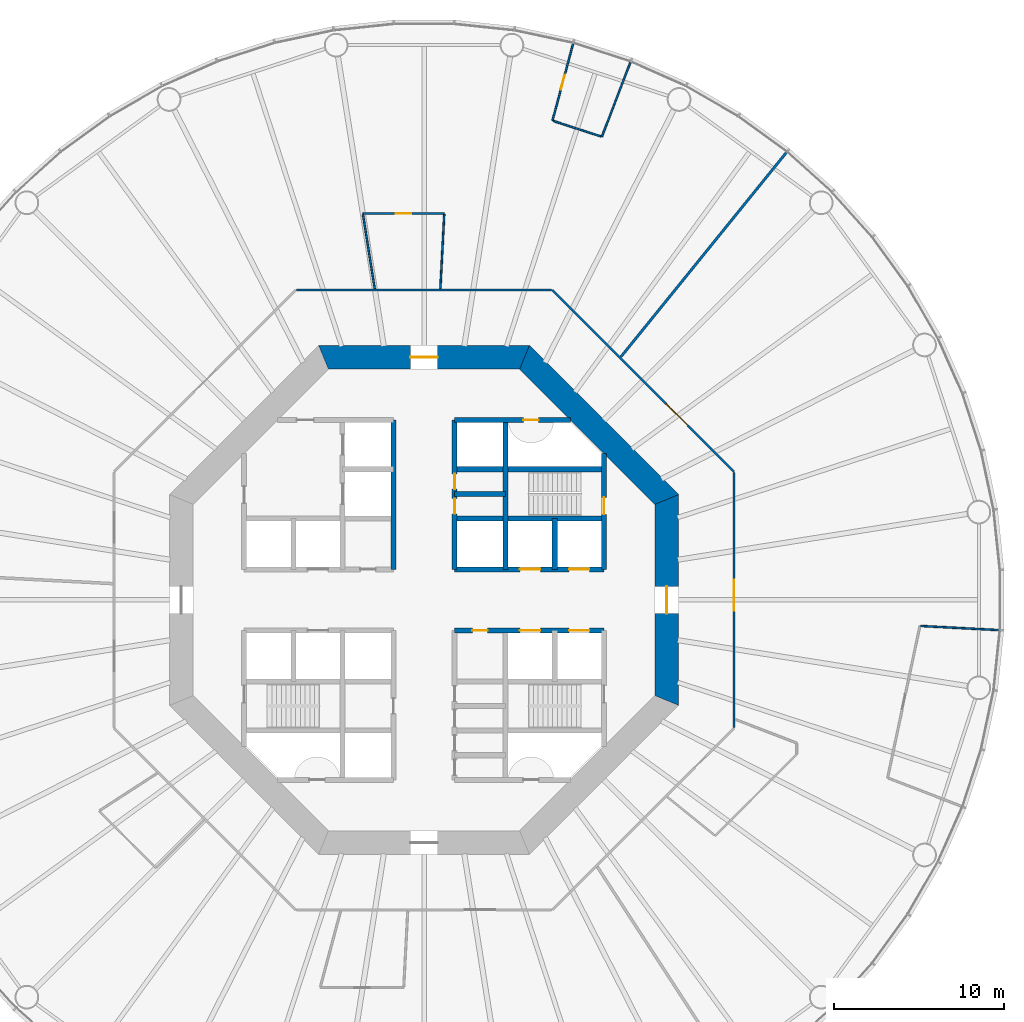
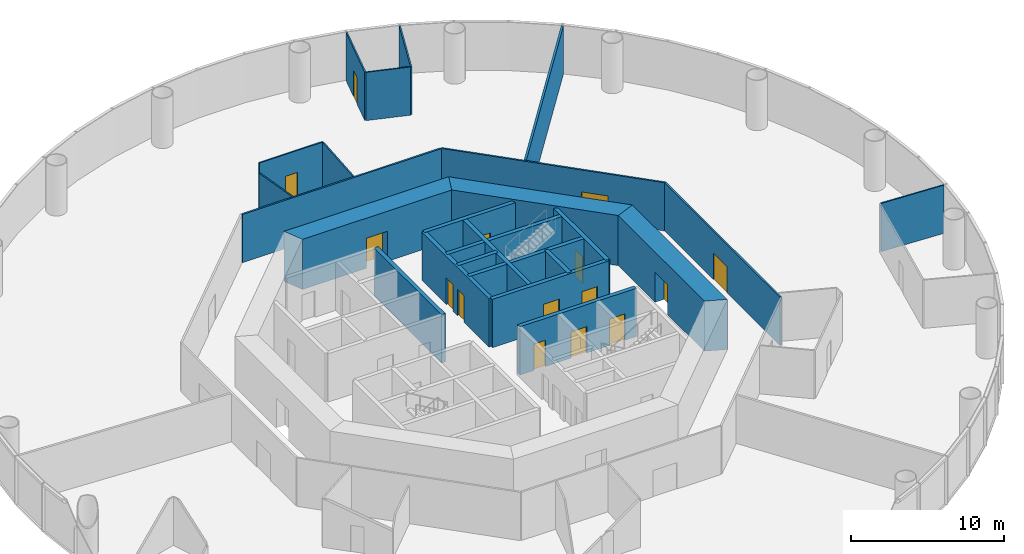
# One storey, part 5 of 13: 25 walls, 15 doors, 15 openings.
"""IFC4 building model written with IfcOpenShell, lengths in metres."""

from ifc_helpers import new_model, si_unit, direction, frame, frame_2d, origin, place, context, subcontext, project, spatial, polyline, rectangle, outline, extrude, material, layer, layer_set, type_object, element, fill, save


model = new_model("IFC4")

# Units and contexts
model_context = context("Model", 3, precision=1e-05, world=origin(), true_north=direction((0.0, 1.0)))
body_context = subcontext(model_context, "Body", "Model", "MODEL_VIEW")
ifc_project = project(units=[si_unit("LENGTHUNIT", "METRE"), si_unit("AREAUNIT", "SQUARE_METRE"), si_unit("VOLUMEUNIT", "CUBIC_METRE"), si_unit("PLANEANGLEUNIT", "RADIAN"), si_unit("MASSUNIT", "GRAM", prefix="KILO")], contexts=[model_context])

# Site, building, storey
site_placement = place(None, origin())
site = spatial("IfcSite", under=ifc_project, at=site_placement, CompositionType="ELEMENT")
building_placement = place(site_placement, origin())
building = spatial("IfcBuilding", under=site, at=building_placement, Name="Entoto Ring Tower", CompositionType="ELEMENT")
storey_placement = place(building_placement, frame((0.0, 0.0, 46.0)))
storey = spatial("IfcBuildingStorey", under=building, at=storey_placement, Name="L09", CompositionType="ELEMENT", Elevation=46.0)

# Wall, opening, door
ifc_material_1 = material(Name="Concrete C40/50", Category="concrete")
ifc_layer_1 = layer(ifc_material_1, 0.300048828125)
ifc_layer_set_1 = layer_set([ifc_layer_1], Name="Concrete C40/50")
wall_type_1 = type_object("IfcWallType", Name="Core enclosure wall 300 mm reinforced concrete", PredefinedType="SOLIDWALL", material=ifc_layer_set_1)
wall_1_placement = place(storey_placement, frame((100.60009765625, 81.800048828125, 0.0), z_axis=(0.0, 0.0, 1.0), x_axis=(0.0, 1.0, 0.0)))
wall_1 = element("IfcWall", 1, at=wall_1_placement, inside=storey, type_object=wall_type_1, Name="wall-L09-002", PredefinedType="SOLIDWALL", context=body_context, shape_type="SweptSolid", body=[
    extrude(rectangle(XDim=6.833251953125, YDim=0.300048828125, at=frame_2d((3.41650390625, 0.0))), origin(), (0.0, 0.0, 1.0), 3.85009765625),
])
opening_1_placement = place(wall_1_placement, frame((3.25, 0.0, 0.0)))
opening_1 = element("IfcOpeningElement", 2, at=opening_1_placement, cuts=wall_1, Name="Opening K-65", PredefinedType="OPENING", context=body_context, shape_type="SweptSolid", body=[
    extrude(rectangle(XDim=1.0, YDim=2.10009765625, at=frame_2d((0.5, 1.050048828125))), frame((0.0, 0.16015625, 0.0), z_axis=(0.0, -1.0, 0.0), x_axis=(1.0, 0.0, 0.0)), (0.0, 0.0, 1.0), 0.320068359375),
])
ifc_material_2 = material(Name="Steel door leaf, fire rated", Category="steel")
ifc_layer_2 = layer(ifc_material_2, 0.050048828125)
ifc_layer_set_2 = layer_set([ifc_layer_2], Name="Steel door leaf, fire rated")
door_type_1 = type_object("IfcDoorType", Name="Fire door FD60 1000 x 2100 single leaf", OperationType="NOTDEFINED", PredefinedType="DOOR", material=ifc_layer_set_2)
door_1_placement = place(opening_1_placement, origin())
door_1 = element("IfcDoor", 3, at=door_1_placement, inside=storey, type_object=door_type_1, Name="Door K-65", OperationType="SINGLE_SWING_RIGHT", OverallHeight=2.10009765625, OverallWidth=1.0, PredefinedType="DOOR", context=body_context, shape_type="SweptSolid", body=[
    extrude(rectangle(XDim=1.0, YDim=2.10009765625, at=frame_2d((0.5, 1.050048828125))), frame((0.0, 0.02490234375, 0.0), z_axis=(0.0, -1.0, 0.0), x_axis=(1.0, 0.0, 0.0)), (0.0, 0.0, 1.0), 0.050048828125),
])
fill(opening_1, door_1)

# Walls
wall_2_placement = place(storey_placement, frame((97.699951171875, 81.800048828125, 0.0), z_axis=(0.0, 0.0, 1.0), x_axis=(0.0, 1.0, 0.0)))
element("IfcWall", 4, at=wall_2_placement, inside=storey, type_object=wall_type_1, Name="wall-L09-004", PredefinedType="SOLIDWALL", context=body_context, shape_type="SweptSolid", body=[
    extrude(rectangle(XDim=3.0, YDim=0.300048828125, at=frame_2d((1.5, 0.0))), origin(), (0.0, 0.0, 1.0), 3.85009765625),
])
wall_3_placement = place(storey_placement, frame((94.800048828125, 81.800048828125, 0.0), z_axis=(0.0, 0.0, 1.0), x_axis=(0.0, 1.0, 0.0)))
element("IfcWall", 5, at=wall_3_placement, inside=storey, type_object=wall_type_1, Name="wall-L09-006", PredefinedType="SOLIDWALL", context=body_context, shape_type="SweptSolid", body=[
    extrude(rectangle(XDim=8.800048828125, YDim=0.300048828125, at=frame_2d((4.39990234375, 0.0))), origin(), (0.0, 0.0, 1.0), 3.85009765625),
])

# Wall, openings, doors
wall_4_placement = place(storey_placement, frame((91.800048828125, 81.800048828125, 0.0), z_axis=(0.0, 0.0, 1.0), x_axis=(0.0, 1.0, 0.0)))
wall_4 = element("IfcWall", 6, at=wall_4_placement, inside=storey, type_object=wall_type_1, Name="wall-L09-008", PredefinedType="SOLIDWALL", context=body_context, shape_type="SweptSolid", body=[
    extrude(rectangle(XDim=8.800048828125, YDim=0.300048828125, at=frame_2d((4.39990234375, 0.0))), origin(), (0.0, 0.0, 1.0), 3.85009765625),
])
opening_2_placement = place(wall_4_placement, frame((3.27490234375, 0.0, 0.0)))
opening_2 = element("IfcOpeningElement", 7, at=opening_2_placement, cuts=wall_4, Name="Opening K-11", PredefinedType="OPENING", context=body_context, shape_type="SweptSolid", body=[
    extrude(rectangle(XDim=0.89990234375, YDim=2.10009765625, at=frame_2d((0.449951171875, 1.050048828125))), frame((0.0, 0.16015625, 0.0), z_axis=(0.0, -1.0, 0.0), x_axis=(1.0, 0.0, 0.0)), (0.0, 0.0, 1.0), 0.320068359375),
])
opening_3_placement = place(wall_4_placement, frame((4.72509765625, 0.0, 0.0)))
opening_3 = element("IfcOpeningElement", 8, at=opening_3_placement, cuts=wall_4, Name="Opening K-12", PredefinedType="OPENING", context=body_context, shape_type="SweptSolid", body=[
    extrude(rectangle(XDim=0.89990234375, YDim=2.10009765625, at=frame_2d((0.449951171875, 1.050048828125))), frame((0.0, 0.16015625, 0.0), z_axis=(0.0, -1.0, 0.0), x_axis=(1.0, 0.0, 0.0)), (0.0, 0.0, 1.0), 0.320068359375),
])
ifc_material_3 = material(Name="Steel door leaf, fire rated", Category="steel")
ifc_layer_3 = layer(ifc_material_3, 0.050048828125)
ifc_layer_set_3 = layer_set([ifc_layer_3], Name="Steel door leaf, fire rated")
door_type_2 = type_object("IfcDoorType", Name="Core door 900 x 2100 single leaf", OperationType="NOTDEFINED", PredefinedType="DOOR", material=ifc_layer_set_3)
door_2_placement = place(opening_2_placement, origin())
door_2 = element("IfcDoor", 9, at=door_2_placement, inside=storey, type_object=door_type_2, Name="Door K-11", OperationType="SINGLE_SWING_RIGHT", OverallHeight=2.10009765625, OverallWidth=0.89990234375, PredefinedType="DOOR", context=body_context, shape_type="SweptSolid", body=[
    extrude(rectangle(XDim=0.89990234375, YDim=2.10009765625, at=frame_2d((0.449951171875, 1.050048828125))), frame((0.0, 0.02490234375, 0.0), z_axis=(0.0, -1.0, 0.0), x_axis=(1.0, 0.0, 0.0)), (0.0, 0.0, 1.0), 0.050048828125),
])
fill(opening_2, door_2)
door_3_placement = place(opening_3_placement, origin())
door_3 = element("IfcDoor", 10, at=door_3_placement, inside=storey, type_object=door_type_2, Name="Door K-12", OperationType="SINGLE_SWING_RIGHT", OverallHeight=2.10009765625, OverallWidth=0.89990234375, PredefinedType="DOOR", context=body_context, shape_type="SweptSolid", body=[
    extrude(rectangle(XDim=0.89990234375, YDim=2.10009765625, at=frame_2d((0.449951171875, 1.050048828125))), frame((0.0, 0.02490234375, 0.0), z_axis=(0.0, -1.0, 0.0), x_axis=(1.0, 0.0, 0.0)), (0.0, 0.0, 1.0), 0.050048828125),
])
fill(opening_3, door_3)

# Wall
wall_5_placement = place(storey_placement, frame((88.199951171875, 81.800048828125, 0.0), z_axis=(0.0, 0.0, 1.0), x_axis=(0.0, 1.0, 0.0)))
element("IfcWall", 11, at=wall_5_placement, inside=storey, type_object=wall_type_1, Name="wall-L09-010", PredefinedType="SOLIDWALL", context=body_context, shape_type="SweptSolid", body=[
    extrude(rectangle(XDim=8.800048828125, YDim=0.300048828125, at=frame_2d((4.39990234375, 0.0))), origin(), (0.0, 0.0, 1.0), 3.85009765625),
])

# Wall, openings, doors
wall_6_placement = place(storey_placement, frame((91.800048828125, 78.199951171875, 0.0), z_axis=(0.0, 0.0, 1.0), x_axis=(1.0, 0.0, 0.0)))
wall_6 = element("IfcWall", 12, at=wall_6_placement, inside=storey, type_object=wall_type_1, Name="wall-L09-026", PredefinedType="SOLIDWALL", context=body_context, shape_type="SweptSolid", body=[
    extrude(rectangle(XDim=8.800048828125, YDim=0.300048828125, at=frame_2d((4.39990234375, 0.0))), origin(), (0.0, 0.0, 1.0), 3.85009765625),
])
opening_4_placement = place(wall_6_placement, frame((3.85009765625, 0.0, 0.0)))
opening_4 = element("IfcOpeningElement", 13, at=opening_4_placement, cuts=wall_6, Name="Opening LD", PredefinedType="OPENING", context=body_context, shape_type="SweptSolid", body=[
    extrude(rectangle(XDim=1.199951171875, YDim=2.10009765625, at=frame_2d((0.60009765625, 1.050048828125))), frame((0.0, 0.16015625, 0.0), z_axis=(0.0, -1.0, 0.0), x_axis=(1.0, 0.0, 0.0)), (0.0, 0.0, 1.0), 0.320068359375),
])
opening_5_placement = place(wall_6_placement, frame((6.75, 0.0, 0.0)))
opening_5 = element("IfcOpeningElement", 14, at=opening_5_placement, cuts=wall_6, Name="Opening LD", PredefinedType="OPENING", context=body_context, shape_type="SweptSolid", body=[
    extrude(rectangle(XDim=1.199951171875, YDim=2.10009765625, at=frame_2d((0.60009765625, 1.050048828125))), frame((0.0, 0.16015625, 0.0), z_axis=(0.0, -1.0, 0.0), x_axis=(1.0, 0.0, 0.0)), (0.0, 0.0, 1.0), 0.320068359375),
])
opening_6_placement = place(wall_6_placement, frame((1.050048828125, 0.0, 0.0)))
opening_6 = element("IfcOpeningElement", 15, at=opening_6_placement, cuts=wall_6, Name="Opening K-19", PredefinedType="OPENING", context=body_context, shape_type="SweptSolid", body=[
    extrude(rectangle(XDim=0.89990234375, YDim=2.10009765625, at=frame_2d((0.449951171875, 1.050048828125))), frame((0.0, 0.16015625, 0.0), z_axis=(0.0, -1.0, 0.0), x_axis=(1.0, 0.0, 0.0)), (0.0, 0.0, 1.0), 0.320068359375),
])
door_4_placement = place(opening_6_placement, frame((0.89990234375, 0.0, 0.0), z_axis=(0.0, 0.0, 1.0), x_axis=(-1.0, 0.0, 0.0)))
door_4 = element("IfcDoor", 16, at=door_4_placement, inside=storey, type_object=door_type_2, Name="Door K-19", OperationType="SINGLE_SWING_RIGHT", OverallHeight=2.10009765625, OverallWidth=0.89990234375, PredefinedType="DOOR", context=body_context, shape_type="SweptSolid", body=[
    extrude(rectangle(XDim=0.89990234375, YDim=2.10009765625, at=frame_2d((0.449951171875, 1.050048828125))), frame((0.0, 0.02490234375, 0.0), z_axis=(0.0, -1.0, 0.0), x_axis=(1.0, 0.0, 0.0)), (0.0, 0.0, 1.0), 0.050048828125),
])
fill(opening_6, door_4)
ifc_material_4 = material(Name="Steel and glass door leaf", Category="steel")
ifc_layer_4 = layer(ifc_material_4, 0.050048828125)
ifc_layer_set_4 = layer_set([ifc_layer_4], Name="Steel and glass door leaf")
door_type_3 = type_object("IfcDoorType", Name="Landing door 1200 x 2100 sliding", OperationType="DOUBLE_DOOR_SLIDING", PredefinedType="DOOR", material=ifc_layer_set_4)
door_5_placement = place(opening_4_placement, origin())
door_5 = element("IfcDoor", 17, at=door_5_placement, inside=storey, type_object=door_type_3, Name="Landing door LB4-LR", OperationType="SLIDING_TO_RIGHT", OverallHeight=2.10009765625, OverallWidth=1.199951171875, PredefinedType="DOOR", context=body_context, shape_type="SweptSolid", body=[
    extrude(rectangle(XDim=1.199951171875, YDim=2.10009765625, at=frame_2d((0.60009765625, 1.050048828125))), frame((0.0, 0.02490234375, 0.0), z_axis=(0.0, -1.0, 0.0), x_axis=(1.0, 0.0, 0.0)), (0.0, 0.0, 1.0), 0.050048828125),
])
fill(opening_4, door_5)
door_6_placement = place(opening_5_placement, origin())
door_6 = element("IfcDoor", 18, at=door_6_placement, inside=storey, type_object=door_type_3, Name="Landing door LB5-LR", OperationType="SLIDING_TO_RIGHT", OverallHeight=2.10009765625, OverallWidth=1.199951171875, PredefinedType="DOOR", context=body_context, shape_type="SweptSolid", body=[
    extrude(rectangle(XDim=1.199951171875, YDim=2.10009765625, at=frame_2d((0.60009765625, 1.050048828125))), frame((0.0, 0.02490234375, 0.0), z_axis=(0.0, -1.0, 0.0), x_axis=(1.0, 0.0, 0.0)), (0.0, 0.0, 1.0), 0.050048828125),
])
fill(opening_5, door_6)

wall_7_placement = place(storey_placement, frame((91.800048828125, 81.800048828125, 0.0), z_axis=(0.0, 0.0, 1.0), x_axis=(1.0, 0.0, 0.0)))
wall_7 = element("IfcWall", 19, at=wall_7_placement, inside=storey, type_object=wall_type_1, Name="wall-L09-028", PredefinedType="SOLIDWALL", context=body_context, shape_type="SweptSolid", body=[
    extrude(rectangle(XDim=8.800048828125, YDim=0.300048828125, at=frame_2d((4.39990234375, 0.0))), origin(), (0.0, 0.0, 1.0), 3.85009765625),
])
opening_7_placement = place(wall_7_placement, frame((3.85009765625, 0.0, 0.0)))
opening_7 = element("IfcOpeningElement", 20, at=opening_7_placement, cuts=wall_7, Name="Opening LD", PredefinedType="OPENING", context=body_context, shape_type="SweptSolid", body=[
    extrude(rectangle(XDim=1.199951171875, YDim=2.10009765625, at=frame_2d((0.60009765625, 1.050048828125))), frame((0.0, 0.16015625, 0.0), z_axis=(0.0, -1.0, 0.0), x_axis=(1.0, 0.0, 0.0)), (0.0, 0.0, 1.0), 0.320068359375),
])
opening_8_placement = place(wall_7_placement, frame((6.75, 0.0, 0.0)))
opening_8 = element("IfcOpeningElement", 21, at=opening_8_placement, cuts=wall_7, Name="Opening LD", PredefinedType="OPENING", context=body_context, shape_type="SweptSolid", body=[
    extrude(rectangle(XDim=1.199951171875, YDim=2.10009765625, at=frame_2d((0.60009765625, 1.050048828125))), frame((0.0, 0.16015625, 0.0), z_axis=(0.0, -1.0, 0.0), x_axis=(1.0, 0.0, 0.0)), (0.0, 0.0, 1.0), 0.320068359375),
])
door_7_placement = place(opening_7_placement, origin())
door_7 = element("IfcDoor", 22, at=door_7_placement, inside=storey, type_object=door_type_3, Name="Landing door LB1-LR", OperationType="SLIDING_TO_RIGHT", OverallHeight=2.10009765625, OverallWidth=1.199951171875, PredefinedType="DOOR", context=body_context, shape_type="SweptSolid", body=[
    extrude(rectangle(XDim=1.199951171875, YDim=2.10009765625, at=frame_2d((0.60009765625, 1.050048828125))), frame((0.0, 0.02490234375, 0.0), z_axis=(0.0, -1.0, 0.0), x_axis=(1.0, 0.0, 0.0)), (0.0, 0.0, 1.0), 0.050048828125),
])
fill(opening_7, door_7)
door_8_placement = place(opening_8_placement, origin())
door_8 = element("IfcDoor", 23, at=door_8_placement, inside=storey, type_object=door_type_3, Name="Landing door LB2-LR", OperationType="SLIDING_TO_RIGHT", OverallHeight=2.10009765625, OverallWidth=1.199951171875, PredefinedType="DOOR", context=body_context, shape_type="SweptSolid", body=[
    extrude(rectangle(XDim=1.199951171875, YDim=2.10009765625, at=frame_2d((0.60009765625, 1.050048828125))), frame((0.0, 0.02490234375, 0.0), z_axis=(0.0, -1.0, 0.0), x_axis=(1.0, 0.0, 0.0)), (0.0, 0.0, 1.0), 0.050048828125),
])
fill(opening_8, door_8)

# Walls
wall_8_placement = place(storey_placement, frame((91.800048828125, 84.800048828125, 0.0), z_axis=(0.0, 0.0, 1.0), x_axis=(1.0, 0.0, 0.0)))
element("IfcWall", 24, at=wall_8_placement, inside=storey, type_object=wall_type_1, Name="wall-L09-030", PredefinedType="SOLIDWALL", context=body_context, shape_type="SweptSolid", body=[
    extrude(rectangle(XDim=8.800048828125, YDim=0.300048828125, at=frame_2d((4.39990234375, 0.0))), origin(), (0.0, 0.0, 1.0), 3.85009765625),
])
wall_9_placement = place(storey_placement, frame((91.800048828125, 86.25, 0.0), z_axis=(0.0, 0.0, 1.0), x_axis=(1.0, 0.0, 0.0)))
element("IfcWall", 25, at=wall_9_placement, inside=storey, type_object=wall_type_1, Name="wall-L09-031", PredefinedType="SOLIDWALL", context=body_context, shape_type="SweptSolid", body=[
    extrude(rectangle(XDim=3.0, YDim=0.300048828125, at=frame_2d((1.5, 0.0))), origin(), (0.0, 0.0, 1.0), 3.85009765625),
])
wall_10_placement = place(storey_placement, frame((91.800048828125, 87.699951171875, 0.0), z_axis=(0.0, 0.0, 1.0), x_axis=(1.0, 0.0, 0.0)))
element("IfcWall", 26, at=wall_10_placement, inside=storey, type_object=wall_type_1, Name="wall-L09-033", PredefinedType="SOLIDWALL", context=body_context, shape_type="SweptSolid", body=[
    extrude(rectangle(XDim=8.800048828125, YDim=0.300048828125, at=frame_2d((4.39990234375, 0.0))), origin(), (0.0, 0.0, 1.0), 3.85009765625),
])

# Wall, opening, door
wall_11_placement = place(storey_placement, frame((91.800048828125, 90.60009765625, 0.0), z_axis=(0.0, 0.0, 1.0), x_axis=(1.0, 0.0, 0.0)))
wall_11 = element("IfcWall", 27, at=wall_11_placement, inside=storey, type_object=wall_type_1, Name="wall-L09-035", PredefinedType="SOLIDWALL", context=body_context, shape_type="SweptSolid", body=[
    extrude(rectangle(XDim=6.833251953125, YDim=0.300048828125, at=frame_2d((3.41650390625, 0.0))), origin(), (0.0, 0.0, 1.0), 3.85009765625),
])
opening_9_placement = place(wall_11_placement, frame((4.050048828125, 0.0, 0.0)))
opening_9 = element("IfcOpeningElement", 28, at=opening_9_placement, cuts=wall_11, Name="Opening K-72", PredefinedType="OPENING", context=body_context, shape_type="SweptSolid", body=[
    extrude(rectangle(XDim=0.89990234375, YDim=2.10009765625, at=frame_2d((0.449951171875, 1.050048828125))), frame((0.0, 0.16015625, 0.0), z_axis=(0.0, -1.0, 0.0), x_axis=(1.0, 0.0, 0.0)), (0.0, 0.0, 1.0), 0.320068359375),
])
ifc_material_5 = material(Name="Steel door leaf, fire rated", Category="steel")
ifc_layer_5 = layer(ifc_material_5, 0.050048828125)
ifc_layer_set_5 = layer_set([ifc_layer_5], Name="Steel door leaf, fire rated")
door_type_4 = type_object("IfcDoorType", Name="Riser door FD60 900 x 2100 single leaf", OperationType="NOTDEFINED", PredefinedType="DOOR", material=ifc_layer_set_5)
door_9_placement = place(opening_9_placement, frame((0.89990234375, 0.0, 0.0), z_axis=(0.0, 0.0, 1.0), x_axis=(-1.0, 0.0, 0.0)))
door_9 = element("IfcDoor", 29, at=door_9_placement, inside=storey, type_object=door_type_4, Name="Door K-72", OperationType="SINGLE_SWING_LEFT", OverallHeight=2.10009765625, OverallWidth=0.89990234375, PredefinedType="DOOR", context=body_context, shape_type="SweptSolid", body=[
    extrude(rectangle(XDim=0.89990234375, YDim=2.10009765625, at=frame_2d((0.449951171875, 1.050048828125))), frame((0.0, 0.02490234375, 0.0), z_axis=(0.0, -1.0, 0.0), x_axis=(1.0, 0.0, 0.0)), (0.0, 0.0, 1.0), 0.050048828125),
])
fill(opening_9, door_9)

ifc_material_6 = material(Name="Concrete C60/75", Category="concrete")
ifc_layer_6 = layer(ifc_material_6, 1.39990234375)
ifc_layer_set_6 = layer_set([ifc_layer_6], Name="Concrete C60/75")
wall_type_2 = type_object("IfcWallType", Name="Core shear wall 1400 mm reinforced concrete C60/75", PredefinedType="SHEAR", material=ifc_layer_set_6)
wall_12_placement = place(storey_placement, frame((104.300048828125, 74.07666015625, 0.0), z_axis=(0.0, 0.0, 1.0), x_axis=(0.0, 1.0, 0.0)))
wall_12 = element("IfcWall", 30, at=wall_12_placement, inside=storey, type_object=wall_type_2, Name="wall-L09-core-0", PredefinedType="SHEAR", context=body_context, shape_type="SweptSolid", body=[
    extrude(outline(polyline([(-0.2900390625, -0.699951171875), (12.13671875, -0.699951171875), (11.556640625, 0.699951171875), (0.2900390625, 0.699951171875), (-0.2900390625, -0.699951171875)])), origin(), (0.0, 0.0, 1.0), 4.0),
])
opening_10_placement = place(wall_12_placement, frame((5.123291015625, 0.0, 0.0)))
opening_10 = element("IfcOpeningElement", 31, at=opening_10_placement, cuts=wall_12, Name="Opening K-01", PredefinedType="OPENING", context=body_context, shape_type="SweptSolid", body=[
    extrude(rectangle(XDim=1.60009765625, YDim=2.39990234375, at=frame_2d((0.800048828125, 1.199951171875))), frame((0.0, 0.7099609375, 0.0), z_axis=(0.0, -1.0, 0.0), x_axis=(1.0, 0.0, 0.0)), (0.0, 0.0, 1.0), 1.419921875),
])
ifc_material_7 = material(Name="Steel door leaf, fire rated", Category="steel")
ifc_layer_7 = layer(ifc_material_7, 0.050048828125)
ifc_layer_set_7 = layer_set([ifc_layer_7], Name="Steel door leaf, fire rated")
door_type_5 = type_object("IfcDoorType", Name="Entrance door FD60 1600 x 2400 double leaf", OperationType="DOUBLE_DOOR_SINGLE_SWING", PredefinedType="DOOR", material=ifc_layer_set_7)
door_10_placement = place(opening_10_placement, origin())
door_10 = element("IfcDoor", 32, at=door_10_placement, inside=storey, type_object=door_type_5, Name="Entrance door K-01", OperationType="DOUBLE_DOOR_SINGLE_SWING", OverallHeight=2.39990234375, OverallWidth=1.60009765625, PredefinedType="DOOR", context=body_context, shape_type="SweptSolid", body=[
    extrude(rectangle(XDim=1.60009765625, YDim=2.39990234375, at=frame_2d((0.800048828125, 1.199951171875))), frame((0.0, 0.02490234375, 0.0), z_axis=(0.0, -1.0, 0.0), x_axis=(1.0, 0.0, 0.0)), (0.0, 0.0, 1.0), 0.050048828125),
])
fill(opening_10, door_10)

# Wall
wall_13_placement = place(storey_placement, frame((104.300048828125, 85.92333984375, 0.0), z_axis=(0.0, 0.0, 1.0), x_axis=(-0.707106781187, 0.707106781187, 0.0)))
element("IfcWall", 33, at=wall_13_placement, inside=storey, type_object=wall_type_2, Name="wall-L09-core-1", PredefinedType="SHEAR", context=body_context, shape_type="SweptSolid", body=[
    extrude(outline(polyline([(-0.2900390625, -0.699951171875), (12.136474609375, -0.699951171875), (11.556396484375, 0.699951171875), (0.2900390625, 0.699951171875), (-0.2900390625, -0.699951171875)])), origin(), (0.0, 0.0, 1.0), 4.0),
])

# Wall, opening, door
wall_14_placement = place(storey_placement, frame((95.92333984375, 94.300048828125, 0.0), z_axis=(0.0, 0.0, 1.0), x_axis=(-1.0, 0.0, 0.0)))
wall_14 = element("IfcWall", 34, at=wall_14_placement, inside=storey, type_object=wall_type_2, Name="wall-L09-core-2", PredefinedType="SHEAR", context=body_context, shape_type="SweptSolid", body=[
    extrude(outline(polyline([(-0.2900390625, -0.699951171875), (12.13671875, -0.699951171875), (11.556640625, 0.699951171875), (0.2900390625, 0.699951171875), (-0.2900390625, -0.699951171875)])), origin(), (0.0, 0.0, 1.0), 4.0),
])
opening_11_placement = place(wall_14_placement, frame((5.123291015625, 0.0, 0.0)))
opening_11 = element("IfcOpeningElement", 35, at=opening_11_placement, cuts=wall_14, Name="Opening K-02", PredefinedType="OPENING", context=body_context, shape_type="SweptSolid", body=[
    extrude(rectangle(XDim=1.60009765625, YDim=2.39990234375, at=frame_2d((0.800048828125, 1.199951171875))), frame((0.0, 0.7099609375, 0.0), z_axis=(0.0, -1.0, 0.0), x_axis=(1.0, 0.0, 0.0)), (0.0, 0.0, 1.0), 1.419921875),
])
door_11_placement = place(opening_11_placement, origin())
door_11 = element("IfcDoor", 36, at=door_11_placement, inside=storey, type_object=door_type_5, Name="Entrance door K-02", OperationType="DOUBLE_DOOR_SINGLE_SWING", OverallHeight=2.39990234375, OverallWidth=1.60009765625, PredefinedType="DOOR", context=body_context, shape_type="SweptSolid", body=[
    extrude(rectangle(XDim=1.60009765625, YDim=2.39990234375, at=frame_2d((0.800048828125, 1.199951171875))), frame((0.0, 0.02490234375, 0.0), z_axis=(0.0, -1.0, 0.0), x_axis=(1.0, 0.0, 0.0)), (0.0, 0.0, 1.0), 0.050048828125),
])
fill(opening_11, door_11)

ifc_material_8 = material(Name="Fire-resisting plasterboard on steel studs", Category="steel")
ifc_layer_8 = layer(ifc_material_8, 0.125)
ifc_layer_set_8 = layer_set([ifc_layer_8], Name="Fire-resisting plasterboard on steel studs")
wall_type_3 = type_object("IfcWallType", Name="Corridor wall 125 mm one-hour plasterboard on steel studs", PredefinedType="PARTITIONING", material=ifc_layer_set_8)
wall_15_placement = place(storey_placement, frame((108.262451171875, 87.564697265625, 0.0), z_axis=(0.0, 0.0, 1.0), x_axis=(-0.707106781187, 0.707106781187, 0.0)))
wall_15 = element("IfcWall", 37, at=wall_15_placement, inside=storey, type_object=wall_type_3, Name="partition-L09-004", PredefinedType="PARTITIONING", context=body_context, shape_type="SweptSolid", body=[
    extrude(rectangle(XDim=15.12890625, YDim=0.125, at=frame_2d((7.564453125, 0.0))), origin(), (0.0, 0.0, 1.0), 3.85009765625),
])
opening_12_placement = place(wall_15_placement, frame((3.842041015625, 0.0, 0.0)))
opening_12 = element("IfcOpeningElement", 38, at=opening_12_placement, cuts=wall_15, Name="Opening A04-D07", PredefinedType="OPENING", context=body_context, shape_type="SweptSolid", body=[
    extrude(rectangle(XDim=1.800048828125, YDim=2.10009765625, at=frame_2d((0.89990234375, 1.050048828125))), frame((0.0, 0.072509765625, 0.0), z_axis=(0.0, -1.0, 0.0), x_axis=(1.0, 0.0, 0.0)), (0.0, 0.0, 1.0), 0.14501953125),
])
ifc_material_9 = material(Name="Fire-resisting timber door set", Category="wood")
door_type_6 = type_object("IfcDoorType", Name="Door 1800 x 2100 double leaf FD30S fire door", OperationType="DOUBLE_DOOR_SINGLE_SWING", PredefinedType="DOOR", material=ifc_material_9)
door_12_placement = place(opening_12_placement, origin())
door_12 = element("IfcDoor", 39, at=door_12_placement, inside=storey, type_object=door_type_6, Name="Door A04-D07", OperationType="DOUBLE_DOOR_SINGLE_SWING", OverallHeight=2.10009765625, OverallWidth=1.800048828125, PredefinedType="DOOR", context=body_context, shape_type="SweptSolid", body=[
    extrude(rectangle(XDim=1.800048828125, YDim=2.10009765625, at=frame_2d((0.89990234375, 1.050048828125))), frame((0.0, 0.02490234375, 0.0), z_axis=(0.0, -1.0, 0.0), x_axis=(1.0, 0.0, 0.0)), (0.0, 0.0, 1.0), 0.050048828125),
])
fill(opening_12, door_12)

# Wall
wall_16_placement = place(storey_placement, frame((82.4794921875, 98.262451171875, 0.0), z_axis=(0.0, 0.0, 1.0), x_axis=(1.0, 0.0, 0.0)))
element("IfcWall", 40, at=wall_16_placement, inside=storey, type_object=wall_type_3, Name="partition-L09-007", PredefinedType="PARTITIONING", context=body_context, shape_type="SweptSolid", body=[
    extrude(rectangle(XDim=15.041015625, YDim=0.125, at=frame_2d((7.5205078125, 0.0))), origin(), (0.0, 0.0, 1.0), 3.85009765625),
])

# Wall, opening, door
wall_17_placement = place(storey_placement, frame((108.262451171875, 72.4794921875, 0.0), z_axis=(0.0, 0.0, 1.0), x_axis=(0.0, 1.0, 0.0)))
wall_17 = element("IfcWall", 41, at=wall_17_placement, inside=storey, type_object=wall_type_3, Name="partition-L09-008", PredefinedType="PARTITIONING", context=body_context, shape_type="SweptSolid", body=[
    extrude(rectangle(XDim=15.041015625, YDim=0.125, at=frame_2d((7.5205078125, 0.0))), origin(), (0.0, 0.0, 1.0), 3.85009765625),
])
opening_13_placement = place(wall_17_placement, frame((6.897705078125, 0.0, 0.0)))
opening_13 = element("IfcOpeningElement", 42, at=opening_13_placement, cuts=wall_17, Name="Opening A04-D06", PredefinedType="OPENING", context=body_context, shape_type="SweptSolid", body=[
    extrude(rectangle(XDim=1.800048828125, YDim=2.10009765625, at=frame_2d((0.89990234375, 1.050048828125))), frame((0.0, 0.072509765625, 0.0), z_axis=(0.0, -1.0, 0.0), x_axis=(1.0, 0.0, 0.0)), (0.0, 0.0, 1.0), 0.14501953125),
])
door_13_placement = place(opening_13_placement, origin())
door_13 = element("IfcDoor", 43, at=door_13_placement, inside=storey, type_object=door_type_6, Name="Door A04-D06", OperationType="DOUBLE_DOOR_SINGLE_SWING", OverallHeight=2.10009765625, OverallWidth=1.800048828125, PredefinedType="DOOR", context=body_context, shape_type="SweptSolid", body=[
    extrude(rectangle(XDim=1.800048828125, YDim=2.10009765625, at=frame_2d((0.89990234375, 1.050048828125))), frame((0.0, 0.02490234375, 0.0), z_axis=(0.0, -1.0, 0.0), x_axis=(1.0, 0.0, 0.0)), (0.0, 0.0, 1.0), 0.050048828125),
])
fill(opening_13, door_13)

ifc_material_10 = material(Name="Plasterboard on steel studs", Category="steel")
ifc_layer_9 = layer(ifc_material_10, 0.10009765625)
ifc_layer_set_9 = layer_set([ifc_layer_9], Name="Plasterboard on steel studs")
wall_type_4 = type_object("IfcWallType", Name="Partition 100 mm plasterboard on steel studs", PredefinedType="PARTITIONING", material=ifc_layer_set_9)
wall_18_placement = place(storey_placement, frame((86.393310546875, 102.7724609375, 0.0), z_axis=(0.0, 0.0, 1.0), x_axis=(1.0, 0.0, 0.0)))
wall_18 = element("IfcWall", 44, at=wall_18_placement, inside=storey, type_object=wall_type_4, Name="partition-L09-017", PredefinedType="PARTITIONING", context=body_context, shape_type="SweptSolid", body=[
    extrude(rectangle(XDim=4.80029296875, YDim=0.10009765625, at=frame_2d((2.400146484375, 0.0))), origin(), (0.0, 0.0, 1.0), 3.85009765625),
])
opening_14_placement = place(wall_18_placement, frame((1.9501953125, 0.0, 0.0)))
opening_14 = element("IfcOpeningElement", 45, at=opening_14_placement, cuts=wall_18, Name="Opening A04-D13", PredefinedType="OPENING", context=body_context, shape_type="SweptSolid", body=[
    extrude(rectangle(XDim=0.89990234375, YDim=2.10009765625, at=frame_2d((0.449951171875, 1.050048828125))), frame((0.0, 0.06005859375, 0.0), z_axis=(0.0, -1.0, 0.0), x_axis=(1.0, 0.0, 0.0)), (0.0, 0.0, 1.0), 0.1201171875),
])
ifc_material_11 = material(Name="Veneered timber door leaf in timber frame", Category="wood")
door_type_7 = type_object("IfcDoorType", Name="Door 900 x 2100 single leaf timber veneer", OperationType="NOTDEFINED", PredefinedType="DOOR", material=ifc_material_11)
door_14_placement = place(opening_14_placement, frame((0.89990234375, 0.0, 0.0), z_axis=(0.0, 0.0, 1.0), x_axis=(-1.0, 0.0, 0.0)))
door_14 = element("IfcDoor", 46, at=door_14_placement, inside=storey, type_object=door_type_7, Name="Door A04-D13", OperationType="SINGLE_SWING_RIGHT", OverallHeight=2.10009765625, OverallWidth=0.89990234375, PredefinedType="DOOR", context=body_context, shape_type="SweptSolid", body=[
    extrude(rectangle(XDim=0.89990234375, YDim=2.10009765625, at=frame_2d((0.449951171875, 1.050048828125))), frame((0.0, 0.02490234375, 0.0), z_axis=(0.0, -1.0, 0.0), x_axis=(1.0, 0.0, 0.0)), (0.0, 0.0, 1.0), 0.050048828125),
])
fill(opening_14, door_14)

wall_19_placement = place(storey_placement, frame((97.56787109375, 108.24365234375, 0.0), z_axis=(0.0, 0.0, 1.0), x_axis=(0.258794073665, 0.96593251702, 0.0)))
wall_19 = element("IfcWall", 47, at=wall_19_placement, inside=storey, type_object=wall_type_4, Name="partition-L09-020", PredefinedType="PARTITIONING", context=body_context, shape_type="SweptSolid", body=[
    extrude(rectangle(XDim=4.699951171875, YDim=0.10009765625, at=frame_2d((2.35009765625, 0.0))), origin(), (0.0, 0.0, 1.0), 3.85009765625),
])
opening_15_placement = place(wall_19_placement, frame((1.89990234375, 0.0, 0.0)))
opening_15 = element("IfcOpeningElement", 48, at=opening_15_placement, cuts=wall_19, Name="Opening A04-D14", PredefinedType="OPENING", context=body_context, shape_type="SweptSolid", body=[
    extrude(rectangle(XDim=0.89990234375, YDim=2.10009765625, at=frame_2d((0.449951171875, 1.050048828125))), frame((0.0, 0.06005859375, 0.0), z_axis=(0.0, -1.0, 0.0), x_axis=(1.0, 0.0, 0.0)), (0.0, 0.0, 1.0), 0.1201171875),
])
door_15_placement = place(opening_15_placement, frame((0.89990234375, 0.0, 0.0), z_axis=(0.0, 0.0, 1.0), x_axis=(-1.0, 0.0, 0.0)))
door_15 = element("IfcDoor", 49, at=door_15_placement, inside=storey, type_object=door_type_7, Name="Door A04-D14", OperationType="SINGLE_SWING_LEFT", OverallHeight=2.10009765625, OverallWidth=0.89990234375, PredefinedType="DOOR", context=body_context, shape_type="SweptSolid", body=[
    extrude(rectangle(XDim=0.89990234375, YDim=2.10009765625, at=frame_2d((0.449951171875, 1.050048828125))), frame((0.0, 0.02490234375, 0.0), z_axis=(0.0, -1.0, 0.0), x_axis=(1.0, 0.0, 0.0)), (0.0, 0.0, 1.0), 0.050048828125),
])
fill(opening_15, door_15)

# Walls
wall_20_placement = place(storey_placement, frame((100.478759765625, 107.2978515625, 0.0), z_axis=(0.0, 0.0, 1.0), x_axis=(0.358359424609, 0.933583698869, 0.0)))
element("IfcWall", 50, at=wall_20_placement, inside=storey, type_object=wall_type_4, Name="partition-L09-021", PredefinedType="PARTITIONING", context=body_context, shape_type="SweptSolid", body=[
    extrude(rectangle(XDim=4.7001953125, YDim=0.10009765625, at=frame_2d((2.35009765625, 0.0))), origin(), (0.0, 0.0, 1.0), 3.85009765625),
])
wall_21_placement = place(storey_placement, frame((123.8935546875, 78.2236328125, 0.0), z_axis=(0.0, 0.0, 1.0), x_axis=(-0.998628730491, 0.052351300252, 0.0)))
element("IfcWall", 51, at=wall_21_placement, inside=storey, type_object=wall_type_4, Name="partition-L09-023", PredefinedType="PARTITIONING", context=body_context, shape_type="SweptSolid", body=[
    extrude(rectangle(XDim=4.630859375, YDim=0.10009765625, at=frame_2d((2.3154296875, 0.0))), origin(), (0.0, 0.0, 1.0), 3.85009765625),
])
wall_22_placement = place(storey_placement, frame((90.96044921875, 98.32763671875, 0.0), z_axis=(0.0, 0.0, 1.0), x_axis=(0.05234324335, 0.998629152827, 0.0)))
element("IfcWall", 52, at=wall_22_placement, inside=storey, type_object=wall_type_4, Name="partition-L09-026", PredefinedType="PARTITIONING", context=body_context, shape_type="SweptSolid", body=[
    extrude(rectangle(XDim=4.3984375, YDim=0.10009765625, at=frame_2d((2.19921875, 0.0))), origin(), (0.0, 0.0, 1.0), 3.85009765625),
])
wall_23_placement = place(storey_placement, frame((100.43115234375, 107.313232421875, 0.0), z_axis=(0.0, 0.0, 1.0), x_axis=(-0.951039522572, 0.309069290783, 0.0)))
element("IfcWall", 53, at=wall_23_placement, inside=storey, type_object=wall_type_4, Name="partition-L09-031", PredefinedType="PARTITIONING", context=body_context, shape_type="SweptSolid", body=[
    extrude(rectangle(XDim=2.960693359375, YDim=0.10009765625, at=frame_2d((1.48046875, 0.0))), origin(), (0.0, 0.0, 1.0), 3.85009765625),
])
ifc_material_12 = material(Name="Plasterboard on steel studs", Category="steel")
ifc_layer_10 = layer(ifc_material_12, 0.10009765625)
ifc_layer_set_10 = layer_set([ifc_layer_10], Name="Plasterboard on steel studs")
wall_type_5 = type_object("IfcWallType", Name="Partition 100 mm plasterboard on steel studs, 3050 mm high", PredefinedType="PARTITIONING", material=ifc_layer_set_10)
wall_24_placement = place(storey_placement, frame((87.096435546875, 98.332763671875, 0.0), z_axis=(0.0, 0.0, 1.0), x_axis=(-0.156442929455, 0.987686999926, 0.0)))
element("IfcWall", 54, at=wall_24_placement, inside=storey, type_object=wall_type_5, Name="partition-L09-025", PredefinedType="PARTITIONING", context=body_context, shape_type="SweptSolid", body=[
    extrude(rectangle(XDim=4.436767578125, YDim=0.10009765625, at=frame_2d((2.21826171875, 0.0))), origin(), (0.0, 0.0, 1.0), 3.050048828125),
])
ifc_material_13 = material(Name="Fire-resisting acoustic plasterboard on steel studs", Category="steel")
ifc_layer_11 = layer(ifc_material_13, 0.14990234375)
ifc_layer_set_11 = layer_set([ifc_layer_11], Name="Fire-resisting acoustic plasterboard on steel studs")
wall_type_6 = type_object("IfcWallType", Name="Party wall 150 mm one-hour acoustic plasterboard on steel studs", PredefinedType="PARTITIONING", material=ifc_layer_set_11)
wall_25_placement = place(storey_placement, frame((101.600830078125, 94.32568359375, 0.0), z_axis=(0.0, 0.0, 1.0), x_axis=(0.62931915396, 0.777146963231, 0.0)))
element("IfcWall", 55, at=wall_25_placement, inside=storey, type_object=wall_type_6, Name="partition-L09-010", PredefinedType="PARTITIONING", context=body_context, shape_type="SweptSolid", body=[
    extrude(rectangle(XDim=15.506103515625, YDim=0.14990234375, at=frame_2d((7.7529296875, 0.0))), origin(), (0.0, 0.0, 1.0), 3.85009765625),
])

save(model, "model.ifc")
